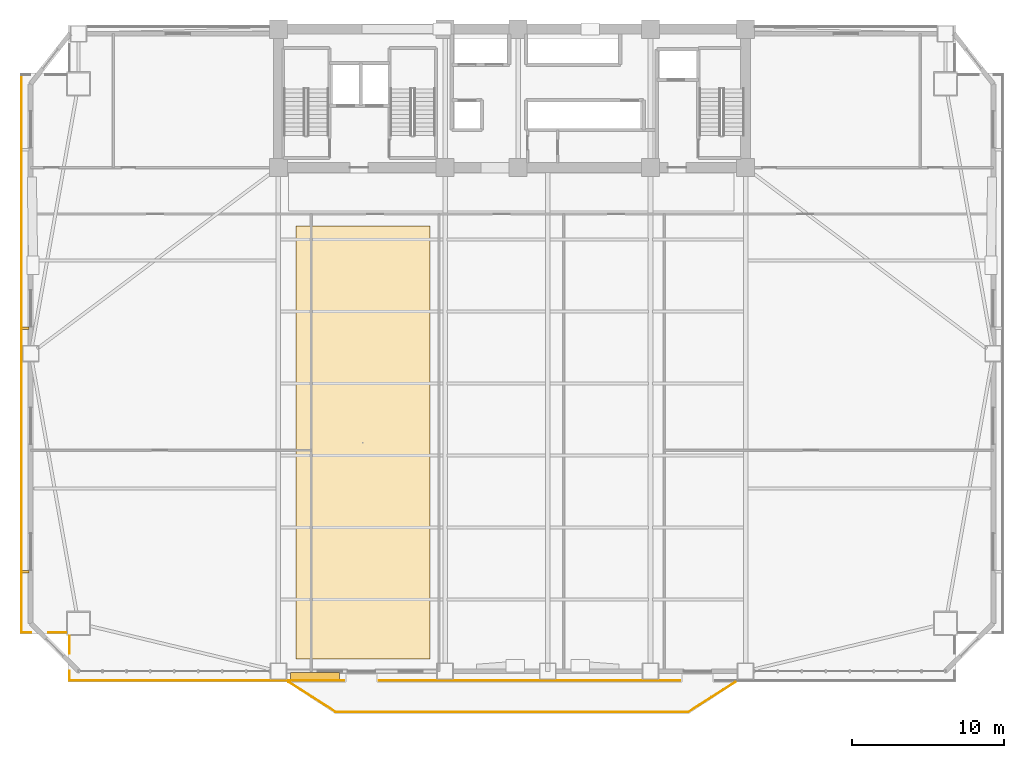
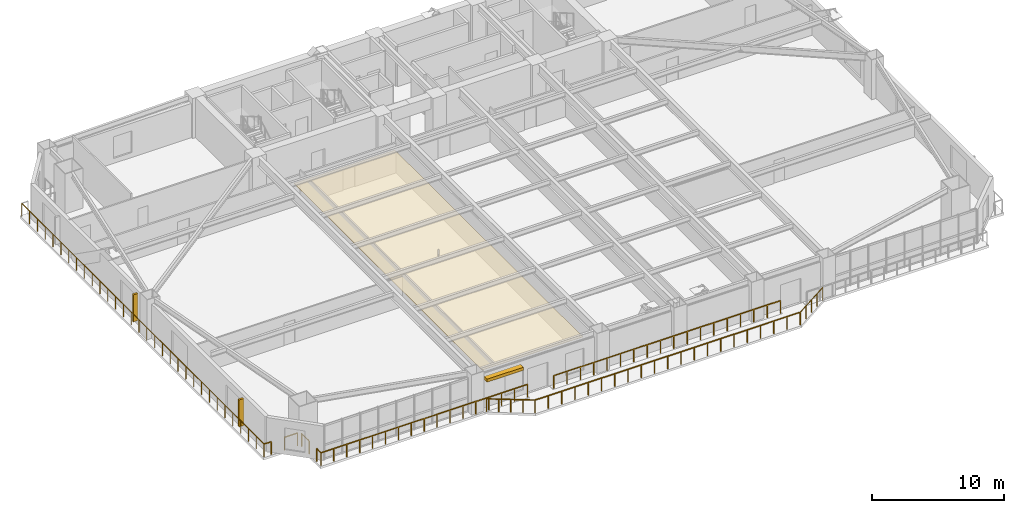
# One storey, part 13 of 17: 10 railings, 3 shading devices, 1 covering.
"""IFC4 building model written with IfcOpenShell, lengths in metres."""

from ifc_helpers import new_model, si_unit, direction, frame, origin, origin_2d, place, context, subcontext, project, spatial, polyline, rectangle, outline, extrude, source, transform, mapped, material, layer, layer_set, type_object, element, save


model = new_model("IFC4")

# Units and contexts
model_context = context("Model", 3, precision=1e-05, world=origin(), true_north=direction((0.0, 1.0)))
body_context = subcontext(model_context, "Body", "Model", "MODEL_VIEW")
ifc_project = project(units=[si_unit("LENGTHUNIT", "METRE"), si_unit("AREAUNIT", "SQUARE_METRE"), si_unit("VOLUMEUNIT", "CUBIC_METRE"), si_unit("PLANEANGLEUNIT", "RADIAN"), si_unit("MASSUNIT", "GRAM", prefix="KILO")], contexts=[model_context])

# Site, building, storey
site_placement = place(None, origin())
site = spatial("IfcSite", under=ifc_project, at=site_placement, CompositionType="ELEMENT")
building_placement = place(site_placement, origin())
building = spatial("IfcBuilding", under=site, at=building_placement, Name="Giltprow Tower", CompositionType="ELEMENT")
storey_placement = place(building_placement, frame((0.0, 0.0, 53.300048828125)))
storey = spatial("IfcBuildingStorey", under=building, at=storey_placement, Name="L13", CompositionType="ELEMENT", Elevation=53.300048828125)

# Covering
ifc_material_1 = material(Name="Acoustic mineral fibre", Category="gypsum")
ifc_layer = layer(ifc_material_1, 0.030029296875, Name="Acoustic mineral fibre")
ifc_layer_set = layer_set([ifc_layer], Name="Acoustic mineral fibre")
covering_type = type_object("IfcCoveringType", Name="COV-CLG-ACOUSTIC", PredefinedType="CEILING", material=ifc_layer_set)
covering_placement = place(storey_placement, frame((0.0, 0.0, 2.719970703125)))
element("IfcCovering", 1, at=covering_placement, inside=storey, type_object=covering_type, Name="L13 Office Acoustic Ceiling", PredefinedType="CEILING", context=body_context, shape_type="SweptSolid", body=[
    extrude(outline(polyline([(21.0, 5.154052734375), (29.800048828125, 5.154052734375), (29.800048828125, 33.60009765625), (21.0, 33.60009765625), (21.0, 5.154052734375)])), origin(), (0.0, 0.0, 1.0), 0.030029296875),
])

# Railings
ifc_material_2 = material(Name="Anodized bronze", Category="metal")
railing_type = type_object("IfcRailingType", Name="RAIL-BALC-GUARD-1200", PredefinedType="BALUSTRADE", material=ifc_material_2)
railing_1_placement = place(storey_placement, frame((20.52001953125, 3.654052734375, 0.0)))
element("IfcRailing", 2, at=railing_1_placement, inside=storey, type_object=railing_type, Name="L13 Waterfront Balcony Balustrade Seg 1", PredefinedType="BALUSTRADE", context=body_context, shape_type="SweptSolid", body=[
    extrude(rectangle(XDim=0.048095703125, YDim=0.048095703125, at=origin_2d()), frame((0.0, 0.0, 1.17578125), z_axis=(0.84277487735, -0.538266203757, 0.0), x_axis=(0.538266203757, 0.84277487735, 0.0)), (0.0, 0.0, 1.0), 3.678466796875),
    extrude(rectangle(XDim=0.0419921875, YDim=0.0419921875, at=origin_2d()), origin(), (0.0, 0.0, 1.0), 1.15185546875),
    extrude(rectangle(XDim=0.0419921875, YDim=0.0419921875, at=origin_2d()), frame((0.77490234375, -0.4951171875, 0.0)), (0.0, 0.0, 1.0), 1.15185546875),
    extrude(rectangle(XDim=0.0419921875, YDim=0.0419921875, at=origin_2d()), frame((1.550048828125, -0.989990234375, 0.0)), (0.0, 0.0, 1.0), 1.15185546875),
    extrude(rectangle(XDim=0.0419921875, YDim=0.0419921875, at=origin_2d()), frame((2.3251953125, -1.48486328125, 0.0)), (0.0, 0.0, 1.0), 1.15185546875),
    extrude(rectangle(XDim=0.0419921875, YDim=0.0419921875, at=origin_2d()), frame((3.10009765625, -1.97998046875, 0.0)), (0.0, 0.0, 1.0), 1.15185546875),
])
railing_2_placement = place(storey_placement, frame((23.6201171875, 1.674072265625, 0.0)))
element("IfcRailing", 3, at=railing_2_placement, inside=storey, type_object=railing_type, Name="L13 Waterfront Balcony Balustrade Seg 2", PredefinedType="BALUSTRADE", context=body_context, shape_type="SweptSolid", body=[
    extrude(rectangle(XDim=0.048095703125, YDim=0.048095703125, at=origin_2d()), frame((0.0, 0.0, 1.17578125), z_axis=(1.0, 0.0, 0.0), x_axis=(0.0, 1.0, 0.0)), (0.0, 0.0, 1.0), 23.159912109375),
    extrude(rectangle(XDim=0.0419921875, YDim=0.0419921875, at=origin_2d()), origin(), (0.0, 0.0, 1.0), 1.15185546875),
    extrude(rectangle(XDim=0.0419921875, YDim=0.0419921875, at=origin_2d()), frame((1.157958984375, 0.0, 0.0)), (0.0, 0.0, 1.0), 1.15185546875),
    extrude(rectangle(XDim=0.0419921875, YDim=0.0419921875, at=origin_2d()), frame((2.31591796875, 0.0, 0.0)), (0.0, 0.0, 1.0), 1.15185546875),
    extrude(rectangle(XDim=0.0419921875, YDim=0.0419921875, at=origin_2d()), frame((3.473876953125, 0.0, 0.0)), (0.0, 0.0, 1.0), 1.15185546875),
    extrude(rectangle(XDim=0.0419921875, YDim=0.0419921875, at=origin_2d()), frame((4.632080078125, 0.0, 0.0)), (0.0, 0.0, 1.0), 1.15185546875),
    extrude(rectangle(XDim=0.0419921875, YDim=0.0419921875, at=origin_2d()), frame((5.7900390625, 0.0, 0.0)), (0.0, 0.0, 1.0), 1.15185546875),
    extrude(rectangle(XDim=0.0419921875, YDim=0.0419921875, at=origin_2d()), frame((6.947998046875, 0.0, 0.0)), (0.0, 0.0, 1.0), 1.15185546875),
    extrude(rectangle(XDim=0.0419921875, YDim=0.0419921875, at=origin_2d()), frame((8.10595703125, 0.0, 0.0)), (0.0, 0.0, 1.0), 1.15185546875),
    extrude(rectangle(XDim=0.0419921875, YDim=0.0419921875, at=origin_2d()), frame((9.263916015625, 0.0, 0.0)), (0.0, 0.0, 1.0), 1.15185546875),
    extrude(rectangle(XDim=0.0419921875, YDim=0.0419921875, at=origin_2d()), frame((10.421875, 0.0, 0.0)), (0.0, 0.0, 1.0), 1.15185546875),
    extrude(rectangle(XDim=0.0419921875, YDim=0.0419921875, at=origin_2d()), frame((11.580078125, 0.0, 0.0)), (0.0, 0.0, 1.0), 1.15185546875),
    extrude(rectangle(XDim=0.0419921875, YDim=0.0419921875, at=origin_2d()), frame((12.738037109375, 0.0, 0.0)), (0.0, 0.0, 1.0), 1.15185546875),
    extrude(rectangle(XDim=0.0419921875, YDim=0.0419921875, at=origin_2d()), frame((13.89599609375, 0.0, 0.0)), (0.0, 0.0, 1.0), 1.15185546875),
    extrude(rectangle(XDim=0.0419921875, YDim=0.0419921875, at=origin_2d()), frame((15.053955078125, 0.0, 0.0)), (0.0, 0.0, 1.0), 1.15185546875),
    extrude(rectangle(XDim=0.0419921875, YDim=0.0419921875, at=origin_2d()), frame((16.2119140625, 0.0, 0.0)), (0.0, 0.0, 1.0), 1.15185546875),
    extrude(rectangle(XDim=0.0419921875, YDim=0.0419921875, at=origin_2d()), frame((17.369873046875, 0.0, 0.0)), (0.0, 0.0, 1.0), 1.15185546875),
    extrude(rectangle(XDim=0.0419921875, YDim=0.0419921875, at=origin_2d()), frame((18.52783203125, 0.0, 0.0)), (0.0, 0.0, 1.0), 1.15185546875),
    extrude(rectangle(XDim=0.0419921875, YDim=0.0419921875, at=origin_2d()), frame((19.68603515625, 0.0, 0.0)), (0.0, 0.0, 1.0), 1.15185546875),
    extrude(rectangle(XDim=0.0419921875, YDim=0.0419921875, at=origin_2d()), frame((20.843994140625, 0.0, 0.0)), (0.0, 0.0, 1.0), 1.15185546875),
    extrude(rectangle(XDim=0.0419921875, YDim=0.0419921875, at=origin_2d()), frame((22.001953125, 0.0, 0.0)), (0.0, 0.0, 1.0), 1.15185546875),
    extrude(rectangle(XDim=0.0419921875, YDim=0.0419921875, at=origin_2d()), frame((23.159912109375, 0.0, 0.0)), (0.0, 0.0, 1.0), 1.15185546875),
])
railing_3_placement = place(storey_placement, frame((46.780029296875, 1.674072265625, 0.0)))
element("IfcRailing", 4, at=railing_3_placement, inside=storey, type_object=railing_type, Name="L13 Waterfront Balcony Balustrade Seg 3", PredefinedType="BALUSTRADE", context=body_context, shape_type="SweptSolid", body=[
    extrude(rectangle(XDim=0.048095703125, YDim=0.048095703125, at=origin_2d()), frame((0.0, 0.0, 1.17578125), z_axis=(0.842755646126, 0.538296313309, 0.0), x_axis=(-0.538296313309, 0.842755646126, 0.0)), (0.0, 0.0, 1.0), 3.67822265625),
    extrude(rectangle(XDim=0.0419921875, YDim=0.0419921875, at=origin_2d()), origin(), (0.0, 0.0, 1.0), 1.15185546875),
    extrude(rectangle(XDim=0.0419921875, YDim=0.0419921875, at=origin_2d()), frame((0.77490234375, 0.4951171875, 0.0)), (0.0, 0.0, 1.0), 1.15185546875),
    extrude(rectangle(XDim=0.0419921875, YDim=0.0419921875, at=origin_2d()), frame((1.5498046875, 0.989990234375, 0.0)), (0.0, 0.0, 1.0), 1.15185546875),
    extrude(rectangle(XDim=0.0419921875, YDim=0.0419921875, at=origin_2d()), frame((2.324951171875, 1.48486328125, 0.0)), (0.0, 0.0, 1.0), 1.15185546875),
    extrude(rectangle(XDim=0.0419921875, YDim=0.0419921875, at=origin_2d()), frame((3.099853515625, 1.97998046875, 0.0)), (0.0, 0.0, 1.0), 1.15185546875),
])
railing_4_placement = place(storey_placement, frame((6.117919921875, 3.75390625, 0.0)))
element("IfcRailing", 5, at=railing_4_placement, inside=storey, type_object=railing_type, Name="L13 Corner Apron Edge Balustrade 1", PredefinedType="BALUSTRADE", context=body_context, shape_type="SweptSolid", body=[
    extrude(rectangle(XDim=0.048095703125, YDim=0.048095703125, at=origin_2d()), frame((0.0, 0.0, 1.17578125), z_axis=(0.0, 1.0, 0.0), x_axis=(-1.0, 0.0, 0.0)), (0.0, 0.0, 1.0), 0.6201171875),
    extrude(rectangle(XDim=0.0419921875, YDim=0.0419921875, at=origin_2d()), origin(), (0.0, 0.0, 1.0), 1.15185546875),
    extrude(rectangle(XDim=0.0419921875, YDim=0.0419921875, at=origin_2d()), frame((0.0, 0.6201171875, 0.0)), (0.0, 0.0, 1.0), 1.15185546875),
])
railing_5_placement = place(storey_placement, frame((6.117919921875, 5.533935546875, 0.0)))
element("IfcRailing", 6, at=railing_5_placement, inside=storey, type_object=railing_type, Name="L13 Corner Apron Edge Balustrade 2", PredefinedType="BALUSTRADE", context=body_context, shape_type="SweptSolid", body=[
    extrude(rectangle(XDim=0.048095703125, YDim=0.048095703125, at=origin_2d()), frame((0.0, 0.0, 1.17578125), z_axis=(0.0, 1.0, 0.0), x_axis=(-1.0, 0.0, 0.0)), (0.0, 0.0, 1.0), 1.133056640625),
    extrude(rectangle(XDim=0.0419921875, YDim=0.0419921875, at=origin_2d()), origin(), (0.0, 0.0, 1.0), 1.15185546875),
    extrude(rectangle(XDim=0.0419921875, YDim=0.0419921875, at=origin_2d()), frame((0.0, 1.133056640625, 0.0)), (0.0, 0.0, 1.0), 1.15185546875),
])
railing_6_placement = place(storey_placement, frame((5.883056640625, 6.902099609375, 0.0)))
element("IfcRailing", 7, at=railing_6_placement, inside=storey, type_object=railing_type, Name="L13 Corner Apron Edge Balustrade 3", PredefinedType="BALUSTRADE", context=body_context, shape_type="SweptSolid", body=[
    extrude(rectangle(XDim=0.048095703125, YDim=0.048095703125, at=origin_2d()), frame((0.0, 0.0, 1.17578125), z_axis=(-1.0, 0.0, 0.0), x_axis=(0.0, -1.0, 0.0)), (0.0, 0.0, 1.0), 1.133056640625),
    extrude(rectangle(XDim=0.0419921875, YDim=0.0419921875, at=origin_2d()), origin(), (0.0, 0.0, 1.0), 1.15185546875),
    extrude(rectangle(XDim=0.0419921875, YDim=0.0419921875, at=origin_2d()), frame((-1.133056640625, 0.0, 0.0)), (0.0, 0.0, 1.0), 1.15185546875),
])
railing_7_placement = place(storey_placement, frame((3.590087890625, 6.902099609375, 0.0)))
element("IfcRailing", 8, at=railing_7_placement, inside=storey, type_object=railing_type, Name="L13 Corner Apron Edge Balustrade 4", PredefinedType="BALUSTRADE", context=body_context, shape_type="SweptSolid", body=[
    extrude(rectangle(XDim=0.048095703125, YDim=0.048095703125, at=origin_2d()), frame((0.0, 0.0, 1.17578125), z_axis=(-1.0, 0.0, 0.0), x_axis=(0.0, -1.0, 0.0)), (0.0, 0.0, 1.0), 0.6201171875),
    extrude(rectangle(XDim=0.0419921875, YDim=0.0419921875, at=origin_2d()), origin(), (0.0, 0.0, 1.0), 1.15185546875),
    extrude(rectangle(XDim=0.0419921875, YDim=0.0419921875, at=origin_2d()), frame((-0.6201171875, 0.0, 0.0)), (0.0, 0.0, 1.0), 1.15185546875),
])
railing_8_placement = place(storey_placement, frame((2.969970703125, 6.902099609375, 0.0)))
element("IfcRailing", 9, at=railing_8_placement, inside=storey, type_object=railing_type, Name="L13 Corner Apron Edge Balustrade 5", PredefinedType="BALUSTRADE", context=body_context, shape_type="SweptSolid", body=[
    extrude(rectangle(XDim=0.048095703125, YDim=0.048095703125, at=origin_2d()), frame((0.0, 0.0, 1.17578125), z_axis=(0.0, 1.0, 0.0), x_axis=(-1.0, 0.0, 0.0)), (0.0, 0.0, 1.0), 36.64990234375),
    extrude(rectangle(XDim=0.0419921875, YDim=0.0419921875, at=origin_2d()), origin(), (0.0, 0.0, 1.0), 1.15185546875),
    extrude(rectangle(XDim=0.0419921875, YDim=0.0419921875, at=origin_2d()), frame((0.0, 1.182373046875, 0.0)), (0.0, 0.0, 1.0), 1.15185546875),
    extrude(rectangle(XDim=0.0419921875, YDim=0.0419921875, at=origin_2d()), frame((0.0, 2.364501953125, 0.0)), (0.0, 0.0, 1.0), 1.15185546875),
    extrude(rectangle(XDim=0.0419921875, YDim=0.0419921875, at=origin_2d()), frame((0.0, 3.546875, 0.0)), (0.0, 0.0, 1.0), 1.15185546875),
    extrude(rectangle(XDim=0.0419921875, YDim=0.0419921875, at=origin_2d()), frame((0.0, 4.72900390625, 0.0)), (0.0, 0.0, 1.0), 1.15185546875),
    extrude(rectangle(XDim=0.0419921875, YDim=0.0419921875, at=origin_2d()), frame((0.0, 5.911376953125, 0.0)), (0.0, 0.0, 1.0), 1.15185546875),
    extrude(rectangle(XDim=0.0419921875, YDim=0.0419921875, at=origin_2d()), frame((0.0, 7.093505859375, 0.0)), (0.0, 0.0, 1.0), 1.15185546875),
    extrude(rectangle(XDim=0.0419921875, YDim=0.0419921875, at=origin_2d()), frame((0.0, 8.27587890625, 0.0)), (0.0, 0.0, 1.0), 1.15185546875),
    extrude(rectangle(XDim=0.0419921875, YDim=0.0419921875, at=origin_2d()), frame((0.0, 9.4580078125, 0.0)), (0.0, 0.0, 1.0), 1.15185546875),
    extrude(rectangle(XDim=0.0419921875, YDim=0.0419921875, at=origin_2d()), frame((0.0, 10.640380859375, 0.0)), (0.0, 0.0, 1.0), 1.15185546875),
    extrude(rectangle(XDim=0.0419921875, YDim=0.0419921875, at=origin_2d()), frame((0.0, 11.822509765625, 0.0)), (0.0, 0.0, 1.0), 1.15185546875),
    extrude(rectangle(XDim=0.0419921875, YDim=0.0419921875, at=origin_2d()), frame((0.0, 13.0048828125, 0.0)), (0.0, 0.0, 1.0), 1.15185546875),
    extrude(rectangle(XDim=0.0419921875, YDim=0.0419921875, at=origin_2d()), frame((0.0, 14.18701171875, 0.0)), (0.0, 0.0, 1.0), 1.15185546875),
    extrude(rectangle(XDim=0.0419921875, YDim=0.0419921875, at=origin_2d()), frame((0.0, 15.369384765625, 0.0)), (0.0, 0.0, 1.0), 1.15185546875),
    extrude(rectangle(XDim=0.0419921875, YDim=0.0419921875, at=origin_2d()), frame((0.0, 16.551513671875, 0.0)), (0.0, 0.0, 1.0), 1.15185546875),
    extrude(rectangle(XDim=0.0419921875, YDim=0.0419921875, at=origin_2d()), frame((0.0, 17.73388671875, 0.0)), (0.0, 0.0, 1.0), 1.15185546875),
    extrude(rectangle(XDim=0.0419921875, YDim=0.0419921875, at=origin_2d()), frame((0.0, 18.916015625, 0.0)), (0.0, 0.0, 1.0), 1.15185546875),
    extrude(rectangle(XDim=0.0419921875, YDim=0.0419921875, at=origin_2d()), frame((0.0, 20.098388671875, 0.0)), (0.0, 0.0, 1.0), 1.15185546875),
    extrude(rectangle(XDim=0.0419921875, YDim=0.0419921875, at=origin_2d()), frame((0.0, 21.280517578125, 0.0)), (0.0, 0.0, 1.0), 1.15185546875),
    extrude(rectangle(XDim=0.0419921875, YDim=0.0419921875, at=origin_2d()), frame((0.0, 22.462890625, 0.0)), (0.0, 0.0, 1.0), 1.15185546875),
    extrude(rectangle(XDim=0.0419921875, YDim=0.0419921875, at=origin_2d()), frame((0.0, 23.64501953125, 0.0)), (0.0, 0.0, 1.0), 1.15185546875),
    extrude(rectangle(XDim=0.0419921875, YDim=0.0419921875, at=origin_2d()), frame((0.0, 24.827392578125, 0.0)), (0.0, 0.0, 1.0), 1.15185546875),
    extrude(rectangle(XDim=0.0419921875, YDim=0.0419921875, at=origin_2d()), frame((0.0, 26.009521484375, 0.0)), (0.0, 0.0, 1.0), 1.15185546875),
    extrude(rectangle(XDim=0.0419921875, YDim=0.0419921875, at=origin_2d()), frame((0.0, 27.19189453125, 0.0)), (0.0, 0.0, 1.0), 1.15185546875),
    extrude(rectangle(XDim=0.0419921875, YDim=0.0419921875, at=origin_2d()), frame((0.0, 28.3740234375, 0.0)), (0.0, 0.0, 1.0), 1.15185546875),
    extrude(rectangle(XDim=0.0419921875, YDim=0.0419921875, at=origin_2d()), frame((0.0, 29.556396484375, 0.0)), (0.0, 0.0, 1.0), 1.15185546875),
    extrude(rectangle(XDim=0.0419921875, YDim=0.0419921875, at=origin_2d()), frame((0.0, 30.738525390625, 0.0)), (0.0, 0.0, 1.0), 1.15185546875),
    extrude(rectangle(XDim=0.0419921875, YDim=0.0419921875, at=origin_2d()), frame((0.0, 31.9208984375, 0.0)), (0.0, 0.0, 1.0), 1.15185546875),
    extrude(rectangle(XDim=0.0419921875, YDim=0.0419921875, at=origin_2d()), frame((0.0, 33.10302734375, 0.0)), (0.0, 0.0, 1.0), 1.15185546875),
    extrude(rectangle(XDim=0.0419921875, YDim=0.0419921875, at=origin_2d()), frame((0.0, 34.285400390625, 0.0)), (0.0, 0.0, 1.0), 1.15185546875),
    extrude(rectangle(XDim=0.0419921875, YDim=0.0419921875, at=origin_2d()), frame((0.0, 35.467529296875, 0.0)), (0.0, 0.0, 1.0), 1.15185546875),
    extrude(rectangle(XDim=0.0419921875, YDim=0.0419921875, at=origin_2d()), frame((0.0, 36.64990234375, 0.0)), (0.0, 0.0, 1.0), 1.15185546875),
])
railing_9_placement = place(storey_placement, frame((46.25, 3.75390625, 0.0)))
element("IfcRailing", 10, at=railing_9_placement, inside=storey, type_object=railing_type, Name="L13 Corner Apron Edge Balustrade 20", PredefinedType="BALUSTRADE", context=body_context, shape_type="SweptSolid", body=[
    extrude(rectangle(XDim=0.048095703125, YDim=0.048095703125, at=origin_2d()), frame((0.0, 0.0, 1.17578125), z_axis=(-1.0, 0.0, 0.0), x_axis=(0.0, -1.0, 0.0)), (0.0, 0.0, 1.0), 19.800048828125),
    extrude(rectangle(XDim=0.0419921875, YDim=0.0419921875, at=origin_2d()), origin(), (0.0, 0.0, 1.0), 1.15185546875),
    extrude(rectangle(XDim=0.0419921875, YDim=0.0419921875, at=origin_2d()), frame((-1.164794921875, 0.0, 0.0)), (0.0, 0.0, 1.0), 1.15185546875),
    extrude(rectangle(XDim=0.0419921875, YDim=0.0419921875, at=origin_2d()), frame((-2.329345703125, 0.0, 0.0)), (0.0, 0.0, 1.0), 1.15185546875),
    extrude(rectangle(XDim=0.0419921875, YDim=0.0419921875, at=origin_2d()), frame((-3.494140625, 0.0, 0.0)), (0.0, 0.0, 1.0), 1.15185546875),
    extrude(rectangle(XDim=0.0419921875, YDim=0.0419921875, at=origin_2d()), frame((-4.658935546875, 0.0, 0.0)), (0.0, 0.0, 1.0), 1.15185546875),
    extrude(rectangle(XDim=0.0419921875, YDim=0.0419921875, at=origin_2d()), frame((-5.823486328125, 0.0, 0.0)), (0.0, 0.0, 1.0), 1.15185546875),
    extrude(rectangle(XDim=0.0419921875, YDim=0.0419921875, at=origin_2d()), frame((-6.98828125, 0.0, 0.0)), (0.0, 0.0, 1.0), 1.15185546875),
    extrude(rectangle(XDim=0.0419921875, YDim=0.0419921875, at=origin_2d()), frame((-8.153076171875, 0.0, 0.0)), (0.0, 0.0, 1.0), 1.15185546875),
    extrude(rectangle(XDim=0.0419921875, YDim=0.0419921875, at=origin_2d()), frame((-9.317626953125, 0.0, 0.0)), (0.0, 0.0, 1.0), 1.15185546875),
    extrude(rectangle(XDim=0.0419921875, YDim=0.0419921875, at=origin_2d()), frame((-10.482421875, 0.0, 0.0)), (0.0, 0.0, 1.0), 1.15185546875),
    extrude(rectangle(XDim=0.0419921875, YDim=0.0419921875, at=origin_2d()), frame((-11.64697265625, 0.0, 0.0)), (0.0, 0.0, 1.0), 1.15185546875),
    extrude(rectangle(XDim=0.0419921875, YDim=0.0419921875, at=origin_2d()), frame((-12.811767578125, 0.0, 0.0)), (0.0, 0.0, 1.0), 1.15185546875),
    extrude(rectangle(XDim=0.0419921875, YDim=0.0419921875, at=origin_2d()), frame((-13.9765625, 0.0, 0.0)), (0.0, 0.0, 1.0), 1.15185546875),
    extrude(rectangle(XDim=0.0419921875, YDim=0.0419921875, at=origin_2d()), frame((-15.14111328125, 0.0, 0.0)), (0.0, 0.0, 1.0), 1.15185546875),
    extrude(rectangle(XDim=0.0419921875, YDim=0.0419921875, at=origin_2d()), frame((-16.305908203125, 0.0, 0.0)), (0.0, 0.0, 1.0), 1.15185546875),
    extrude(rectangle(XDim=0.0419921875, YDim=0.0419921875, at=origin_2d()), frame((-17.470703125, 0.0, 0.0)), (0.0, 0.0, 1.0), 1.15185546875),
    extrude(rectangle(XDim=0.0419921875, YDim=0.0419921875, at=origin_2d()), frame((-18.63525390625, 0.0, 0.0)), (0.0, 0.0, 1.0), 1.15185546875),
    extrude(rectangle(XDim=0.0419921875, YDim=0.0419921875, at=origin_2d()), frame((-19.800048828125, 0.0, 0.0)), (0.0, 0.0, 1.0), 1.15185546875),
])
railing_10_placement = place(storey_placement, frame((24.14990234375, 3.75390625, 0.0)))
element("IfcRailing", 11, at=railing_10_placement, inside=storey, type_object=railing_type, Name="L13 Corner Apron Edge Balustrade 21", PredefinedType="BALUSTRADE", context=body_context, shape_type="SweptSolid", body=[
    extrude(rectangle(XDim=0.048095703125, YDim=0.048095703125, at=origin_2d()), frame((0.0, 0.0, 1.17578125), z_axis=(-1.0, 0.0, 0.0), x_axis=(0.0, -1.0, 0.0)), (0.0, 0.0, 1.0), 18.031982421875),
    extrude(rectangle(XDim=0.0419921875, YDim=0.0419921875, at=origin_2d()), origin(), (0.0, 0.0, 1.0), 1.15185546875),
    extrude(rectangle(XDim=0.0419921875, YDim=0.0419921875, at=origin_2d()), frame((-1.126953125, 0.0, 0.0)), (0.0, 0.0, 1.0), 1.15185546875),
    extrude(rectangle(XDim=0.0419921875, YDim=0.0419921875, at=origin_2d()), frame((-2.25390625, 0.0, 0.0)), (0.0, 0.0, 1.0), 1.15185546875),
    extrude(rectangle(XDim=0.0419921875, YDim=0.0419921875, at=origin_2d()), frame((-3.381103515625, 0.0, 0.0)), (0.0, 0.0, 1.0), 1.15185546875),
    extrude(rectangle(XDim=0.0419921875, YDim=0.0419921875, at=origin_2d()), frame((-4.508056640625, 0.0, 0.0)), (0.0, 0.0, 1.0), 1.15185546875),
    extrude(rectangle(XDim=0.0419921875, YDim=0.0419921875, at=origin_2d()), frame((-5.635009765625, 0.0, 0.0)), (0.0, 0.0, 1.0), 1.15185546875),
    extrude(rectangle(XDim=0.0419921875, YDim=0.0419921875, at=origin_2d()), frame((-6.761962890625, 0.0, 0.0)), (0.0, 0.0, 1.0), 1.15185546875),
    extrude(rectangle(XDim=0.0419921875, YDim=0.0419921875, at=origin_2d()), frame((-7.888916015625, 0.0, 0.0)), (0.0, 0.0, 1.0), 1.15185546875),
    extrude(rectangle(XDim=0.0419921875, YDim=0.0419921875, at=origin_2d()), frame((-9.01611328125, 0.0, 0.0)), (0.0, 0.0, 1.0), 1.15185546875),
    extrude(rectangle(XDim=0.0419921875, YDim=0.0419921875, at=origin_2d()), frame((-10.14306640625, 0.0, 0.0)), (0.0, 0.0, 1.0), 1.15185546875),
    extrude(rectangle(XDim=0.0419921875, YDim=0.0419921875, at=origin_2d()), frame((-11.27001953125, 0.0, 0.0)), (0.0, 0.0, 1.0), 1.15185546875),
    extrude(rectangle(XDim=0.0419921875, YDim=0.0419921875, at=origin_2d()), frame((-12.39697265625, 0.0, 0.0)), (0.0, 0.0, 1.0), 1.15185546875),
    extrude(rectangle(XDim=0.0419921875, YDim=0.0419921875, at=origin_2d()), frame((-13.52392578125, 0.0, 0.0)), (0.0, 0.0, 1.0), 1.15185546875),
    extrude(rectangle(XDim=0.0419921875, YDim=0.0419921875, at=origin_2d()), frame((-14.65087890625, 0.0, 0.0)), (0.0, 0.0, 1.0), 1.15185546875),
    extrude(rectangle(XDim=0.0419921875, YDim=0.0419921875, at=origin_2d()), frame((-15.778076171875, 0.0, 0.0)), (0.0, 0.0, 1.0), 1.15185546875),
    extrude(rectangle(XDim=0.0419921875, YDim=0.0419921875, at=origin_2d()), frame((-16.905029296875, 0.0, 0.0)), (0.0, 0.0, 1.0), 1.15185546875),
    extrude(rectangle(XDim=0.0419921875, YDim=0.0419921875, at=origin_2d()), frame((-18.031982421875, 0.0, 0.0)), (0.0, 0.0, 1.0), 1.15185546875),
])

# Shading devices
shading_device_type_1 = type_object("IfcShadingDeviceType", Name="SHD-FIN-420", PredefinedType="USERDEFINED", material=ifc_material_2)
shared_shape_1 = source(origin(), body_context, "Body", "SweptSolid", [
    extrude(rectangle(XDim=0.419921875, YDim=0.159912109375, at=origin_2d()), origin(), (0.0, 0.0, 1.0), 2.5),
])
for number, where, z_axis, x_axis, name in (
    (12, (3.25, 10.887939453125, 0.349853515625), (0.0, 0.0, 1.0), (1.0, 0.0, 0.0), "L13 W Bronze Vertical Fin 1-1"),
    (13, (3.25, 26.882080078125, 0.349853515625), (0.0, 0.0, 1.0), (1.0, 0.0, 0.0), "L13 W Bronze Vertical Fin 2-1"),
):
    element("IfcShadingDevice", number, at=place(storey_placement, frame(where, z_axis=z_axis, x_axis=x_axis)), inside=storey, type_object=shading_device_type_1, Name=name, ObjectType="FIN", PredefinedType="USERDEFINED", context=body_context, shape_type="MappedRepresentation", body=[
        mapped(shared_shape_1, transform((0.0, 0.0, 0.0), x_axis=(1.0, 0.0, 0.0), y_axis=(0.0, 1.0, 0.0), z_axis=(0.0, 0.0, 1.0), scale=1.0)),
    ])
shading_device_type_2 = type_object("IfcShadingDeviceType", Name="SHD-LOUVRE-320", PredefinedType="JALOUSIE", material=ifc_material_2)
shared_shape_2 = source(origin(), body_context, "Body", "SweptSolid", [
    extrude(rectangle(XDim=3.199951171875, YDim=0.449951171875, at=origin_2d()), origin(), (0.0, 0.0, 1.0), 0.280029296875),
])
shading_device_placement = place(storey_placement, frame((22.25, 4.033935546875, 2.56005859375), z_axis=(0.0, 0.0, 1.0), x_axis=(1.0, 0.0, 0.0)))
element("IfcShadingDevice", 14, at=shading_device_placement, inside=storey, type_object=shading_device_type_2, Name="L13 Bronze Sunshade Louvre S-2", PredefinedType="JALOUSIE", context=body_context, shape_type="MappedRepresentation", body=[
    mapped(shared_shape_2, transform((0.0, 0.0, 0.0), x_axis=(1.0, 0.0, 0.0), y_axis=(0.0, 1.0, 0.0), z_axis=(0.0, 0.0, 1.0), scale=1.0)),
])

save(model, "model.ifc")
